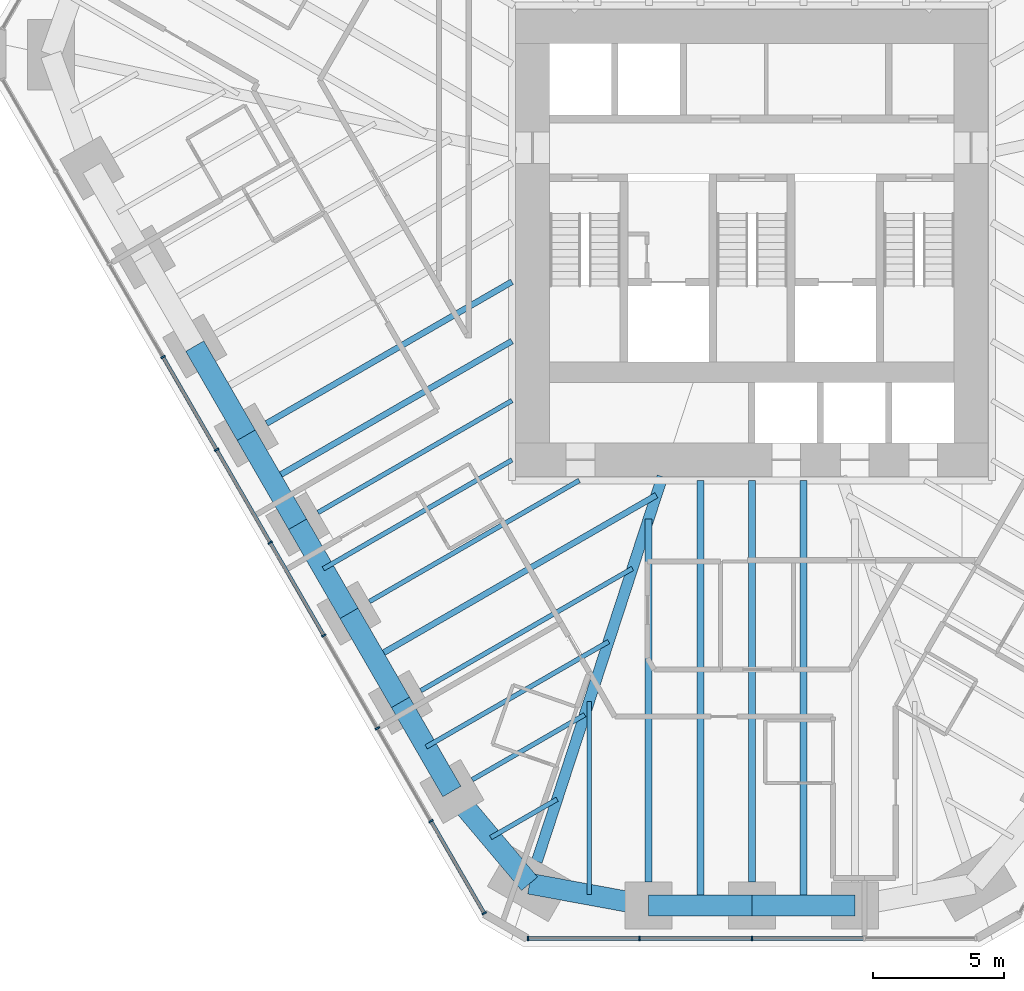
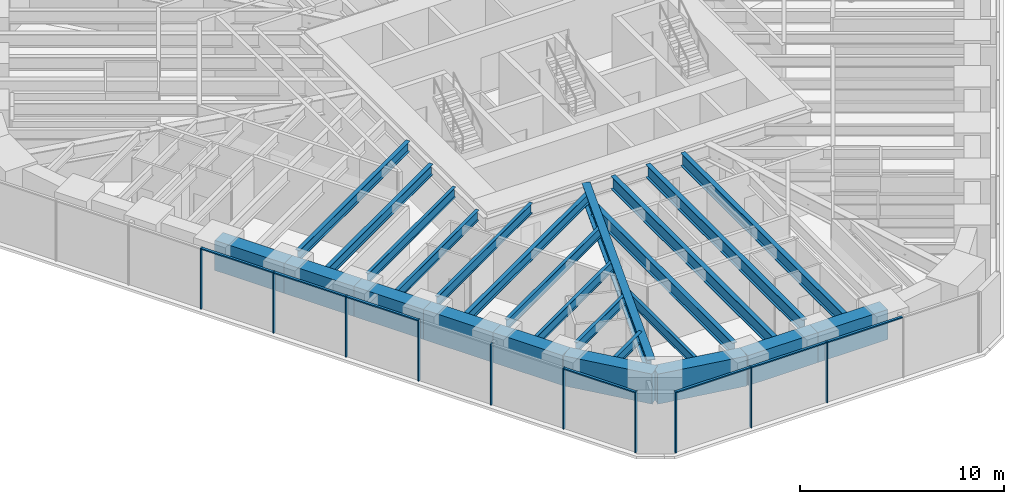
# One storey, part 2 of 17: 25 beams, 17 members, 2 elements without a shape of their own.
"""IFC4 building model written with IfcOpenShell, lengths in metres."""

from ifc_helpers import new_model, si_unit, direction, frame, origin, origin_2d, place, context, subcontext, project, spatial, rectangle, i_section, extrude, material, material_profile, profile_set, type_object, element, aggregate, save


model = new_model("IFC4")

# Units and contexts
model_context = context("Model", 3, precision=1e-05, world=origin(), true_north=direction((0.0, 1.0)))
body_context = subcontext(model_context, "Body", "Model", "MODEL_VIEW")
ifc_project = project(units=[si_unit("LENGTHUNIT", "METRE"), si_unit("AREAUNIT", "SQUARE_METRE"), si_unit("VOLUMEUNIT", "CUBIC_METRE"), si_unit("PLANEANGLEUNIT", "RADIAN"), si_unit("MASSUNIT", "GRAM", prefix="KILO")], contexts=[model_context])

# Site, building, storey
site_placement = place(None, origin())
site = spatial("IfcSite", under=ifc_project, at=site_placement, CompositionType="ELEMENT")
building_placement = place(site_placement, origin())
building = spatial("IfcBuilding", under=site, at=building_placement, Name="Sandreach Pilgrim Tower", CompositionType="ELEMENT")
storey_placement = place(building_placement, frame((0.0, 0.0, 138.60009765625)))
storey = spatial("IfcBuildingStorey", under=building, at=storey_placement, Name="L34", CompositionType="ELEMENT", Elevation=138.60009765625)

# Curtain wall, members
ifc_material_1 = material(Name="Aluminium framed curtain wall", Category="aluminium")
curtain_wall_type = type_object("IfcCurtainWallType", Name="Hotel tower curtain wall", PredefinedType="NOTDEFINED", material=ifc_material_1)
curtain_wall_1_placement = place(storey_placement, origin())
curtain_wall_1 = element("IfcCurtainWall", 1, at=curtain_wall_1_placement, inside=storey, type_object=curtain_wall_type, Name="CW-2 L34 S", PredefinedType="NOTDEFINED")
ifc_material_2 = material(Name="Aluminium extrusion", Category="aluminium")
ifc_material_profile_1 = material_profile(ifc_material_2, rectangle(XDim=0.06494140625, YDim=0.179931640625, at=origin_2d()), Name="CW-2M 65X180")
ifc_profile_set_1 = profile_set([ifc_material_profile_1], Name="Aluminium extrusion")
member_type_1 = type_object("IfcMemberType", Name="CW-2 mullion", PredefinedType="MULLION", material=ifc_profile_set_1)
member_1_placement = place(storey_placement, frame((0.0, -28.192138671875, 0.0), z_axis=(0.0, 0.0, 1.0), x_axis=(-1.0, 0.0, 0.0)))
member_1 = element("IfcMember", 2, at=member_1_placement, type_object=member_type_1, Name="CW-2 mullion 3", PredefinedType="MULLION", context=body_context, shape_type="SweptSolid", body=[
    extrude(rectangle(XDim=0.06494140625, YDim=0.179931640625, at=origin_2d()), origin(), (0.0, 0.0, 1.0), 3.639892578125),
])
member_2_placement = place(storey_placement, frame((-4.3056640625, -28.192138671875, 0.0), z_axis=(0.0, 0.0, 1.0), x_axis=(-1.0, 0.0, 0.0)))
member_2 = element("IfcMember", 3, at=member_2_placement, type_object=member_type_1, Name="CW-2 mullion 4", PredefinedType="MULLION", context=body_context, shape_type="SweptSolid", body=[
    extrude(rectangle(XDim=0.06494140625, YDim=0.179931640625, at=origin_2d()), origin(), (0.0, 0.0, 1.0), 3.639892578125),
])
member_3_placement = place(storey_placement, frame((-8.578857421875, -28.192138671875, 0.0), z_axis=(0.0, 0.0, 1.0), x_axis=(-1.0, 0.0, 0.0)))
member_3 = element("IfcMember", 4, at=member_3_placement, type_object=member_type_1, Name="CW-2 mullion 5", PredefinedType="MULLION", context=body_context, shape_type="SweptSolid", body=[
    extrude(rectangle(XDim=0.06494140625, YDim=0.179931640625, at=origin_2d()), origin(), (0.0, 0.0, 1.0), 3.639892578125),
])

curtain_wall_2_placement = place(storey_placement, origin())
curtain_wall_2 = element("IfcCurtainWall", 5, at=curtain_wall_2_placement, inside=storey, type_object=curtain_wall_type, Name="CW-2 L34 SW", PredefinedType="NOTDEFINED")
member_4_placement = place(storey_placement, frame((-10.255859375, -27.22412109375, 0.0), z_axis=(0.0, 0.0, 1.0), x_axis=(-0.5, 0.866025403784, 0.0)))
member_4 = element("IfcMember", 6, at=member_4_placement, type_object=member_type_1, Name="CW-2 mullion 1", PredefinedType="MULLION", context=body_context, shape_type="SweptSolid", body=[
    extrude(rectangle(XDim=0.06494140625, YDim=0.179931640625, at=origin_2d()), origin(), (0.0, 0.0, 1.0), 3.639892578125),
])
member_5_placement = place(storey_placement, frame((-12.29296875, -23.695556640625, 0.0), z_axis=(0.0, 0.0, 1.0), x_axis=(-0.5, 0.866025403784, 0.0)))
member_5 = element("IfcMember", 7, at=member_5_placement, type_object=member_type_1, Name="CW-2 mullion 2", PredefinedType="MULLION", context=body_context, shape_type="SweptSolid", body=[
    extrude(rectangle(XDim=0.06494140625, YDim=0.179931640625, at=origin_2d()), origin(), (0.0, 0.0, 1.0), 3.639892578125),
])
member_6_placement = place(storey_placement, frame((-14.346435546875, -20.138671875, 0.0), z_axis=(0.0, 0.0, 1.0), x_axis=(-0.5, 0.866025403784, 0.0)))
member_6 = element("IfcMember", 8, at=member_6_placement, type_object=member_type_1, Name="CW-2 mullion 3", PredefinedType="MULLION", context=body_context, shape_type="SweptSolid", body=[
    extrude(rectangle(XDim=0.06494140625, YDim=0.179931640625, at=origin_2d()), origin(), (0.0, 0.0, 1.0), 3.639892578125),
])
member_7_placement = place(storey_placement, frame((-16.39990234375, -16.58203125, 0.0), z_axis=(0.0, 0.0, 1.0), x_axis=(-0.5, 0.866025403784, 0.0)))
member_7 = element("IfcMember", 9, at=member_7_placement, type_object=member_type_1, Name="CW-2 mullion 4", PredefinedType="MULLION", context=body_context, shape_type="SweptSolid", body=[
    extrude(rectangle(XDim=0.06494140625, YDim=0.179931640625, at=origin_2d()), origin(), (0.0, 0.0, 1.0), 3.639892578125),
])
member_8_placement = place(storey_placement, frame((-18.453369140625, -13.025146484375, 0.0), z_axis=(0.0, 0.0, 1.0), x_axis=(-0.5, 0.866025403784, 0.0)))
member_8 = element("IfcMember", 10, at=member_8_placement, type_object=member_type_1, Name="CW-2 mullion 5", PredefinedType="MULLION", context=body_context, shape_type="SweptSolid", body=[
    extrude(rectangle(XDim=0.06494140625, YDim=0.179931640625, at=origin_2d()), origin(), (0.0, 0.0, 1.0), 3.639892578125),
])
member_9_placement = place(storey_placement, frame((-20.5068359375, -9.468505859375, 0.0), z_axis=(0.0, 0.0, 1.0), x_axis=(-0.5, 0.866025403784, 0.0)))
member_9 = element("IfcMember", 11, at=member_9_placement, type_object=member_type_1, Name="CW-2 mullion 6", PredefinedType="MULLION", context=body_context, shape_type="SweptSolid", body=[
    extrude(rectangle(XDim=0.06494140625, YDim=0.179931640625, at=origin_2d()), origin(), (0.0, 0.0, 1.0), 3.639892578125),
])
member_10_placement = place(storey_placement, frame((-22.560302734375, -5.911865234375, 0.0), z_axis=(0.0, 0.0, 1.0), x_axis=(-0.5, 0.866025403784, 0.0)))
member_10 = element("IfcMember", 12, at=member_10_placement, type_object=member_type_1, Name="CW-2 mullion 7", PredefinedType="MULLION", context=body_context, shape_type="SweptSolid", body=[
    extrude(rectangle(XDim=0.06494140625, YDim=0.179931640625, at=origin_2d()), origin(), (0.0, 0.0, 1.0), 3.639892578125),
])

# Member
ifc_material_3 = material(Name="Aluminium extrusion", Category="aluminium")
ifc_material_profile_2 = material_profile(ifc_material_3, rectangle(XDim=0.139892578125, YDim=0.070068359375, at=origin_2d()), Name="CW-2T 140X70")
ifc_profile_set_2 = profile_set([ifc_material_profile_2], Name="Aluminium extrusion")
member_type_2 = type_object("IfcMemberType", Name="CW-2 transom", PredefinedType="USERDEFINED", material=ifc_profile_set_2)
member_11_placement = place(storey_placement, frame((4.273193359375, -28.192138671875, 3.60498046875), z_axis=(-1.0, 0.0, 0.0), x_axis=(0.0, -1.0, 0.0)))
member_11 = element("IfcMember", 13, at=member_11_placement, type_object=member_type_2, Name="CW-2 head transom 2", ObjectType="TRANSOM", PredefinedType="USERDEFINED", context=body_context, shape_type="SweptSolid", body=[
    extrude(rectangle(XDim=0.139892578125, YDim=0.070068359375, at=origin_2d()), origin(), (0.0, 0.0, 1.0), 4.24072265625),
])

member_12_placement = place(storey_placement, frame((-0.032470703125, -28.192138671875, 3.60498046875), z_axis=(-1.0, 0.0, 0.0), x_axis=(0.0, -1.0, 0.0)))
member_12 = element("IfcMember", 14, at=member_12_placement, type_object=member_type_2, Name="CW-2 head transom 3", ObjectType="TRANSOM", PredefinedType="USERDEFINED", context=body_context, shape_type="SweptSolid", body=[
    extrude(rectangle(XDim=0.139892578125, YDim=0.070068359375, at=origin_2d()), origin(), (0.0, 0.0, 1.0), 4.24072265625),
])

member_13_placement = place(storey_placement, frame((-4.338134765625, -28.192138671875, 3.60498046875), z_axis=(-1.0, 0.0, 0.0), x_axis=(0.0, -1.0, 0.0)))
member_13 = element("IfcMember", 15, at=member_13_placement, type_object=member_type_2, Name="CW-2 head transom 4", ObjectType="TRANSOM", PredefinedType="USERDEFINED", context=body_context, shape_type="SweptSolid", body=[
    extrude(rectangle(XDim=0.139892578125, YDim=0.070068359375, at=origin_2d()), origin(), (0.0, 0.0, 1.0), 4.208251953125),
])

aggregate(curtain_wall_1, [member_1, member_2, member_3, member_11, member_12, member_13])

member_14_placement = place(storey_placement, frame((-10.27197265625, -27.196044921875, 3.60498046875), z_axis=(-0.500015851672, 0.866016251624, 0.0), x_axis=(-0.866016251624, -0.500015851672, 0.0)))
member_14 = element("IfcMember", 16, at=member_14_placement, type_object=member_type_2, Name="CW-2 head transom 1", ObjectType="TRANSOM", PredefinedType="USERDEFINED", context=body_context, shape_type="SweptSolid", body=[
    extrude(rectangle(XDim=0.139892578125, YDim=0.070068359375, at=origin_2d()), origin(), (0.0, 0.0, 1.0), 4.009521484375),
])

member_15_placement = place(storey_placement, frame((-16.416259765625, -16.553955078125, 3.60498046875), z_axis=(-0.499997818338, 0.866026663364, 0.0), x_axis=(-0.866026663364, -0.499997818338, 0.0)))
member_15 = element("IfcMember", 17, at=member_15_placement, type_object=member_type_2, Name="CW-2 head transom 4", ObjectType="TRANSOM", PredefinedType="USERDEFINED", context=body_context, shape_type="SweptSolid", body=[
    extrude(rectangle(XDim=0.139892578125, YDim=0.070068359375, at=origin_2d()), origin(), (0.0, 0.0, 1.0), 4.0419921875),
])

member_16_placement = place(storey_placement, frame((-18.4697265625, -12.9970703125, 3.60498046875), z_axis=(-0.499997818338, 0.866026663364, 0.0), x_axis=(-0.866026663364, -0.499997818338, 0.0)))
member_16 = element("IfcMember", 18, at=member_16_placement, type_object=member_type_2, Name="CW-2 head transom 5", ObjectType="TRANSOM", PredefinedType="USERDEFINED", context=body_context, shape_type="SweptSolid", body=[
    extrude(rectangle(XDim=0.139892578125, YDim=0.070068359375, at=origin_2d()), origin(), (0.0, 0.0, 1.0), 4.0419921875),
])

member_17_placement = place(storey_placement, frame((-20.523193359375, -9.4404296875, 3.60498046875), z_axis=(-0.499997818338, 0.866026663364, 0.0), x_axis=(-0.866026663364, -0.499997818338, 0.0)))
member_17 = element("IfcMember", 19, at=member_17_placement, type_object=member_type_2, Name="CW-2 head transom 6", ObjectType="TRANSOM", PredefinedType="USERDEFINED", context=body_context, shape_type="SweptSolid", body=[
    extrude(rectangle(XDim=0.139892578125, YDim=0.070068359375, at=origin_2d()), origin(), (0.0, 0.0, 1.0), 4.0419921875),
])

aggregate(curtain_wall_2, [member_4, member_5, member_6, member_7, member_8, member_9, member_10, member_14, member_15, member_16, member_17])

# Beams
ifc_material_4 = material(Name="Steel ASTM A992 Grade 50", Category="steel")
ifc_material_profile_3 = material_profile(ifc_material_4, i_section(OverallWidth=0.421630859375, OverallDepth=0.937255859375, WebThickness=0.0224609375, FlangeThickness=0.039794921875, at=origin_2d()), Name="W36X282")
ifc_profile_set_3 = profile_set([ifc_material_profile_3], Name="Steel ASTM A992 Grade 50")
beam_type_1 = type_object("IfcBeamType", Name="Corner girder W36X282", PredefinedType="BEAM", material=ifc_profile_set_3)
beam_1_placement = place(storey_placement, frame((-8.238525390625, -25.23876953125, 3.17138671875), z_axis=(0.310307109519, 0.950636364643, 0.0), x_axis=(-0.950636364643, 0.310307109519, 0.0)))
element("IfcBeam", 20, at=beam_1_placement, inside=storey, type_object=beam_type_1, Name="BM L34 CG26", PredefinedType="BEAM", context=body_context, shape_type="SweptSolid", body=[
    extrude(i_section(OverallWidth=0.421630859375, OverallDepth=0.937255859375, WebThickness=0.0224609375, FlangeThickness=0.039794921875, at=origin_2d()), origin(), (0.0, 0.0, 1.0), 15.504150390625),
])
ifc_material_5 = material(Name="Steel ASTM A992 Grade 50", Category="steel")
ifc_material_profile_4 = material_profile(ifc_material_5, i_section(OverallWidth=0.1787109375, OverallDepth=0.60205078125, WebThickness=0.010986328125, FlangeThickness=0.014892578125, at=origin_2d()), Name="W24X62")
ifc_profile_set_4 = profile_set([ifc_material_profile_4], Name="Steel ASTM A992 Grade 50")
beam_type_2 = type_object("IfcBeamType", Name="Floor beam W24X62", PredefinedType="BEAM", material=ifc_profile_set_4)
beam_2_placement = place(storey_placement, frame((-10.714599609375, -22.109130859375, 3.3388671875), z_axis=(0.866024645457, 0.500001313459, 0.0), x_axis=(-0.500001313459, 0.866024645457, 0.0)))
element("IfcBeam", 21, at=beam_2_placement, inside=storey, type_object=beam_type_2, Name="BM L34 F27", PredefinedType="BEAM", context=body_context, shape_type="SweptSolid", body=[
    extrude(i_section(OverallWidth=0.1787109375, OverallDepth=0.60205078125, WebThickness=0.010986328125, FlangeThickness=0.014892578125, at=origin_2d()), origin(), (0.0, 0.0, 1.0), 4.9765625),
])
beam_3_placement = place(storey_placement, frame((-12.6845703125, -18.697265625, 3.3388671875), z_axis=(0.866012351917, 0.500022605817, 0.0), x_axis=(-0.500022605817, 0.866012351917, 0.0)))
element("IfcBeam", 22, at=beam_3_placement, inside=storey, type_object=beam_type_2, Name="BM L34 F28", PredefinedType="BEAM", context=body_context, shape_type="SweptSolid", body=[
    extrude(i_section(OverallWidth=0.1787109375, OverallDepth=0.60205078125, WebThickness=0.010986328125, FlangeThickness=0.014892578125, at=origin_2d()), origin(), (0.0, 0.0, 1.0), 9.3642578125),
])
beam_4_placement = place(storey_placement, frame((-14.654541015625, -15.28515625, 3.3388671875), z_axis=(0.866015659929, 0.500016876472, 0.0), x_axis=(-0.500016876472, 0.866015659929, 0.0)))
element("IfcBeam", 23, at=beam_4_placement, inside=storey, type_object=beam_type_2, Name="BM L34 F29", PredefinedType="BEAM", context=body_context, shape_type="SweptSolid", body=[
    extrude(i_section(OverallWidth=0.1787109375, OverallDepth=0.60205078125, WebThickness=0.010986328125, FlangeThickness=0.014892578125, at=origin_2d()), origin(), (0.0, 0.0, 1.0), 9.283447265625),
])
beam_5_placement = place(storey_placement, frame((-16.62451171875, -11.873046875, 3.3388671875), z_axis=(0.866017857595, 0.500013070155, 0.0), x_axis=(-0.500013070155, 0.866017857595, 0.0)))
element("IfcBeam", 24, at=beam_5_placement, inside=storey, type_object=beam_type_2, Name="BM L34 F30", PredefinedType="BEAM", context=body_context, shape_type="SweptSolid", body=[
    extrude(i_section(OverallWidth=0.1787109375, OverallDepth=0.60205078125, WebThickness=0.010986328125, FlangeThickness=0.014892578125, at=origin_2d()), origin(), (0.0, 0.0, 1.0), 8.580810546875),
])
beam_6_placement = place(storey_placement, frame((-6.236572265625, -26.51318359375, 3.3388671875), z_axis=(0.0, 1.0, 0.0), x_axis=(-1.0, 0.0, 0.0)))
element("IfcBeam", 25, at=beam_6_placement, inside=storey, type_object=beam_type_2, Name="BM L34 FM25", PredefinedType="BEAM", context=body_context, shape_type="SweptSolid", body=[
    extrude(i_section(OverallWidth=0.1787109375, OverallDepth=0.60205078125, WebThickness=0.010986328125, FlangeThickness=0.014892578125, at=origin_2d()), origin(), (0.0, 0.0, 1.0), 7.40771484375),
])
beam_7_placement = place(storey_placement, frame((-10.006103515625, -24.326904296875, 3.3388671875), z_axis=(0.866015396618, 0.500017332519, 0.0), x_axis=(-0.500017332519, 0.866015396618, 0.0)))
element("IfcBeam", 26, at=beam_7_placement, inside=storey, type_object=beam_type_2, Name="BM L34 FM26", PredefinedType="BEAM", context=body_context, shape_type="SweptSolid", body=[
    extrude(i_section(OverallWidth=0.1787109375, OverallDepth=0.60205078125, WebThickness=0.010986328125, FlangeThickness=0.014892578125, at=origin_2d()), origin(), (0.0, 0.0, 1.0), 2.9384765625),
])
beam_8_placement = place(storey_placement, frame((-12.47900390625, -20.853271484375, 3.3388671875), z_axis=(0.866017328257, 0.500013986963, 0.0), x_axis=(-0.500013986963, 0.866017328257, 0.0)))
element("IfcBeam", 27, at=beam_8_placement, inside=storey, type_object=beam_type_2, Name="BM L34 FM27", PredefinedType="BEAM", context=body_context, shape_type="SweptSolid", body=[
    extrude(i_section(OverallWidth=0.1787109375, OverallDepth=0.60205078125, WebThickness=0.010986328125, FlangeThickness=0.014892578125, at=origin_2d()), origin(), (0.0, 0.0, 1.0), 8.070556640625),
])
beam_9_placement = place(storey_placement, frame((-16.4189453125, -14.029052734375, 3.3388671875), z_axis=(0.866016009309, 0.500016271356, 0.0), x_axis=(-0.500016271356, 0.866016009309, 0.0)))
element("IfcBeam", 28, at=beam_9_placement, inside=storey, type_object=beam_type_2, Name="BM L34 FM29", PredefinedType="BEAM", context=body_context, shape_type="SweptSolid", body=[
    extrude(i_section(OverallWidth=0.1787109375, OverallDepth=0.60205078125, WebThickness=0.010986328125, FlangeThickness=0.014892578125, at=origin_2d()), origin(), (0.0, 0.0, 1.0), 8.343505859375),
])
ifc_material_6 = material(Name="Steel ASTM A992 Grade 50", Category="steel")
ifc_material_profile_5 = material_profile(ifc_material_6, i_section(OverallWidth=0.23046875, OverallDepth=0.6171875, WebThickness=0.01318359375, FlangeThickness=0.022216796875, at=origin_2d()), Name="W24X94")
ifc_profile_set_5 = profile_set([ifc_material_profile_5], Name="Steel ASTM A992 Grade 50")
beam_type_3 = type_object("IfcBeamType", Name="Floor beam W24X94", PredefinedType="BEAM", material=ifc_profile_set_5)
beam_10_placement = place(storey_placement, frame((-18.594482421875, -8.4609375, 3.331298828125), z_axis=(0.866015926388, 0.500016414973, 0.0), x_axis=(-0.500016414973, 0.866015926388, 0.0)))
element("IfcBeam", 29, at=beam_10_placement, inside=storey, type_object=beam_type_3, Name="BM L34 F31", PredefinedType="BEAM", context=body_context, shape_type="SweptSolid", body=[
    extrude(i_section(OverallWidth=0.23046875, OverallDepth=0.6171875, WebThickness=0.01318359375, FlangeThickness=0.022216796875, at=origin_2d()), origin(), (0.0, 0.0, 1.0), 10.855712890625),
])
beam_11_placement = place(storey_placement, frame((-14.448974609375, -17.441162109375, 3.331298828125), z_axis=(0.866019150617, 0.500010830648, 0.0), x_axis=(-0.500010830648, 0.866019150617, 0.0)))
element("IfcBeam", 30, at=beam_11_placement, inside=storey, type_object=beam_type_3, Name="BM L34 FM28", PredefinedType="BEAM", context=body_context, shape_type="SweptSolid", body=[
    extrude(i_section(OverallWidth=0.23046875, OverallDepth=0.6171875, WebThickness=0.01318359375, FlangeThickness=0.022216796875, at=origin_2d()), origin(), (0.0, 0.0, 1.0), 12.458251953125),
])
beam_12_placement = place(storey_placement, frame((-18.388916015625, -10.616943359375, 3.331298828125), z_axis=(0.866024387147, 0.500001760863, 0.0), x_axis=(-0.500001760863, 0.866024387147, 0.0)))
element("IfcBeam", 31, at=beam_12_placement, inside=storey, type_object=beam_type_3, Name="BM L34 FM30", PredefinedType="BEAM", context=body_context, shape_type="SweptSolid", body=[
    extrude(i_section(OverallWidth=0.23046875, OverallDepth=0.6171875, WebThickness=0.01318359375, FlangeThickness=0.022216796875, at=origin_2d()), origin(), (0.0, 0.0, 1.0), 10.6181640625),
])
ifc_material_7 = material(Name="Steel ASTM A992 Grade 50", Category="steel")
ifc_material_profile_6 = material_profile(ifc_material_7, i_section(OverallWidth=0.2666015625, OverallDepth=0.761962890625, WebThickness=0.014404296875, FlangeThickness=0.021484375, at=origin_2d()), Name="W30X116")
ifc_profile_set_6 = profile_set([ifc_material_profile_6], Name="Steel ASTM A992 Grade 50")
beam_type_4 = type_object("IfcBeamType", Name="Floor beam W30X116", PredefinedType="BEAM", material=ifc_profile_set_6)
beam_13_placement = place(storey_placement, frame((-3.955322265625, -26.0322265625, 3.2587890625), z_axis=(0.0, 1.0, 0.0), x_axis=(-1.0, 0.0, 0.0)))
element("IfcBeam", 32, at=beam_13_placement, inside=storey, type_object=beam_type_4, Name="BM L34 F25", PredefinedType="BEAM", context=body_context, shape_type="SweptSolid", body=[
    extrude(i_section(OverallWidth=0.2666015625, OverallDepth=0.761962890625, WebThickness=0.014404296875, FlangeThickness=0.021484375, at=origin_2d()), origin(), (0.0, 0.0, 1.0), 13.91552734375),
])
ifc_material_8 = material(Name="Steel ASTM A992 Grade 50", Category="steel")
ifc_material_profile_7 = material_profile(ifc_material_8, i_section(OverallWidth=0.2666015625, OverallDepth=0.77978515625, WebThickness=0.0166015625, FlangeThickness=0.030029296875, at=origin_2d()), Name="W30X148")
ifc_profile_set_7 = profile_set([ifc_material_profile_7], Name="Steel ASTM A992 Grade 50")
beam_type_5 = type_object("IfcBeamType", Name="Floor beam W30X148", PredefinedType="BEAM", material=ifc_profile_set_7)
beam_14_placement = place(storey_placement, frame((0.0, -26.0322265625, 3.25), z_axis=(0.0, 1.0, 0.0), x_axis=(-1.0, 0.0, 0.0)))
element("IfcBeam", 33, at=beam_14_placement, inside=storey, type_object=beam_type_5, Name="BM L34 F24", PredefinedType="BEAM", context=body_context, shape_type="SweptSolid", body=[
    extrude(i_section(OverallWidth=0.2666015625, OverallDepth=0.77978515625, WebThickness=0.0166015625, FlangeThickness=0.030029296875, at=origin_2d()), origin(), (0.0, 0.0, 1.0), 15.388916015625),
])
for number, where, z_axis, x_axis, name in (
    (34, (1.9775390625, -26.93212890625, 3.25), (0.0, 1.0, 0.0), (-1.0, 0.0, 0.0), "BM L34 FM23"),
    (35, (-1.9775390625, -26.93212890625, 3.25), (0.0, 1.0, 0.0), (-1.0, 0.0, 0.0), "BM L34 FM24"),
):
    element("IfcBeam", number, at=place(storey_placement, frame(where, z_axis=z_axis, x_axis=x_axis)), inside=storey, type_object=beam_type_5, Name=name, PredefinedType="BEAM", context=body_context, shape_type="SweptSolid", body=[
        extrude(i_section(OverallWidth=0.2666015625, OverallDepth=0.77978515625, WebThickness=0.0166015625, FlangeThickness=0.030029296875, at=origin_2d()), origin(), (0.0, 0.0, 1.0), 16.288818359375),
    ])
ifc_material_9 = material(Name="Concrete 10000 psi", Category="concrete")
ifc_material_profile_8 = material_profile(ifc_material_9, rectangle(XDim=0.800048828125, YDim=1.800048828125, at=origin_2d()), Name="RC800X1800")
ifc_profile_set_8 = profile_set([ifc_material_profile_8], Name="Concrete 10000 psi")
beam_type_6 = type_object("IfcBeamType", Name="Spandrel beam RC800X1800", PredefinedType="SPANDREL", material=ifc_profile_set_8)
for number, where, z_axis, x_axis, name in (
    (36, (3.955322265625, -26.93212890625, 2.739990234375), (-1.0, 0.0, 0.0), (0.0, -1.0, 0.0), "BM L34 SP23"),
    (37, (0.0, -26.93212890625, 2.739990234375), (-1.0, 0.0, 0.0), (0.0, -1.0, 0.0), "BM L34 SP24"),
):
    element("IfcBeam", number, at=place(storey_placement, frame(where, z_axis=z_axis, x_axis=x_axis)), inside=storey, type_object=beam_type_6, Name=name, PredefinedType="SPANDREL", context=body_context, shape_type="SweptSolid", body=[
        extrude(rectangle(XDim=0.800048828125, YDim=1.800048828125, at=origin_2d()), origin(), (0.0, 0.0, 1.0), 3.955322265625),
    ])
beam_15_placement = place(storey_placement, frame((-3.955322265625, -26.93212890625, 2.739990234375), z_axis=(-0.983551746136, 0.180626583516, 0.0), x_axis=(-0.180626583516, -0.983551746136, 0.0)))
element("IfcBeam", 38, at=beam_15_placement, inside=storey, type_object=beam_type_6, Name="BM L34 SP25", PredefinedType="SPANDREL", context=body_context, shape_type="SweptSolid", body=[
    extrude(rectangle(XDim=0.800048828125, YDim=1.800048828125, at=origin_2d()), origin(), (0.0, 0.0, 1.0), 4.638916015625),
])
beam_16_placement = place(storey_placement, frame((-8.517822265625, -26.09423828125, 2.739990234375), z_axis=(-0.644078801547, 0.764959147535, 0.0), x_axis=(-0.764959147535, -0.644078801547, 0.0)))
element("IfcBeam", 39, at=beam_16_placement, inside=storey, type_object=beam_type_6, Name="BM L34 SP26", PredefinedType="SPANDREL", context=body_context, shape_type="SweptSolid", body=[
    extrude(rectangle(XDim=0.800048828125, YDim=1.800048828125, at=origin_2d()), origin(), (0.0, 0.0, 1.0), 4.62109375),
])
for number, where, z_axis, x_axis, name in (
    (40, (-11.494140625, -22.559326171875, 2.739990234375), (-0.49999779889, 0.866026674592, 0.0), (-0.866026674592, -0.49999779889, 0.0), "BM L34 SP27"),
    (41, (-13.464111328125, -19.147216796875, 2.739990234375), (-0.49999779889, 0.866026674592, 0.0), (-0.866026674592, -0.49999779889, 0.0), "BM L34 SP28"),
    (42, (-15.43408203125, -15.735107421875, 2.739990234375), (-0.49999779889, 0.866026674592, 0.0), (-0.866026674592, -0.49999779889, 0.0), "BM L34 SP29"),
    (43, (-17.404052734375, -12.322998046875, 2.739990234375), (-0.49999779889, 0.866026674592, 0.0), (-0.866026674592, -0.49999779889, 0.0), "BM L34 SP30"),
    (44, (-19.3740234375, -8.910888671875, 2.739990234375), (-0.49999779889, 0.866026674592, 0.0), (-0.866026674592, -0.49999779889, 0.0), "BM L34 SP31"),
):
    element("IfcBeam", number, at=place(storey_placement, frame(where, z_axis=z_axis, x_axis=x_axis)), inside=storey, type_object=beam_type_6, Name=name, PredefinedType="SPANDREL", context=body_context, shape_type="SweptSolid", body=[
        extrude(rectangle(XDim=0.800048828125, YDim=1.800048828125, at=origin_2d()), origin(), (0.0, 0.0, 1.0), 3.93994140625),
    ])

save(model, "model.ifc")
